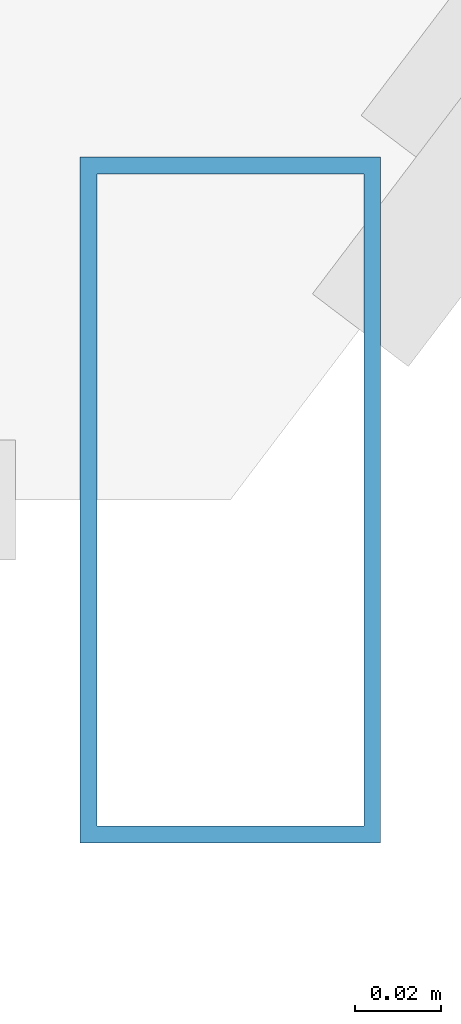
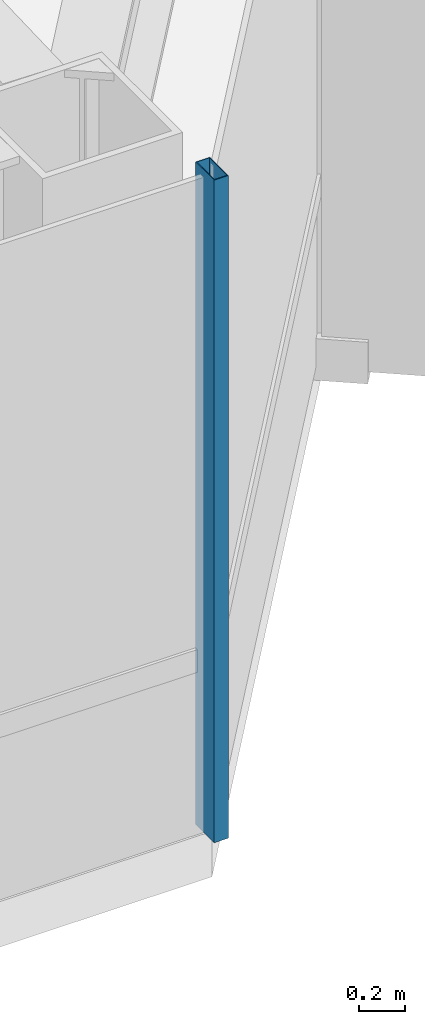
# One storey, part 8 of 27: 1 member, 1 element without a shape of its own.
"""IFC4 building model written with IfcOpenShell, lengths in metres."""

from ifc_helpers import new_model, si_unit, direction, frame, origin, origin_2d, place, context, subcontext, project, spatial, hollow_rectangle, extrude, material, layer, layer_set, material_profile, profile_set, type_object, element, aggregate, save


model = new_model("IFC4")

# Units and contexts
model_context = context("Model", 3, precision=1e-05, world=origin(), true_north=direction((0.0, 1.0)))
body_context = subcontext(model_context, "Body", "Model", "MODEL_VIEW")
ifc_project = project(units=[si_unit("LENGTHUNIT", "METRE"), si_unit("AREAUNIT", "SQUARE_METRE"), si_unit("VOLUMEUNIT", "CUBIC_METRE"), si_unit("PLANEANGLEUNIT", "RADIAN"), si_unit("MASSUNIT", "GRAM", prefix="KILO")], contexts=[model_context])

# Site, building, storey
site_placement = place(None, origin())
site = spatial("IfcSite", under=ifc_project, at=site_placement, CompositionType="ELEMENT")
building_placement = place(site_placement, origin())
building = spatial("IfcBuilding", under=site, at=building_placement, Name="Zarrinselat Tower", CompositionType="ELEMENT")
storey_placement = place(building_placement, frame((0.0, 0.0, 175.780029296875)))
storey = spatial("IfcBuildingStorey", under=building, at=storey_placement, Name="L43", CompositionType="ELEMENT", Elevation=175.780029296875)

# Curtain wall, member
ifc_material_1 = material(Name="Extruded Aluminium Alloy EN AW-6063 T6", Category="aluminium")
ifc_layer = layer(ifc_material_1, 0.175048828125)
ifc_layer_set = layer_set([ifc_layer], Name="Extruded Aluminium Alloy EN AW-6063 T6")
curtain_wall_type = type_object("IfcCurtainWallType", Name="CWS-HTL", PredefinedType="NOTDEFINED", material=ifc_layer_set)
curtain_wall_placement = place(storey_placement, origin())
curtain_wall = element("IfcCurtainWall", 1, at=curtain_wall_placement, inside=storey, type_object=curtain_wall_type, Name="L43 Unitised Curtain Wall CW-L43-E04", PredefinedType="NOTDEFINED")
ifc_material_2 = material(Name="Extruded Aluminium Alloy EN AW-6063 T6", Category="aluminium")
ifc_material_profile = material_profile(ifc_material_2, hollow_rectangle(XDim=0.070068359375, YDim=0.159912109375, WallThickness=0.00390625, at=origin_2d()), Name="RHS 160x70x4")
ifc_profile_set = profile_set([ifc_material_profile], Name="Extruded Aluminium Alloy EN AW-6063 T6")
member_type = type_object("IfcMemberType", Name="MEM-CW-MUL2", PredefinedType="MULLION", material=ifc_profile_set)
member_placement = place(storey_placement, frame((45.75830078125, 17.555419921875, 0.0), z_axis=(0.0, 0.0, 1.0), x_axis=(1.0, 0.0, 0.0)))
member = element("IfcMember", 2, at=member_placement, type_object=member_type, Name="CW-L43-E04 Mullion 4", PredefinedType="MULLION", context=body_context, shape_type="SweptSolid", body=[
    extrude(hollow_rectangle(XDim=0.070068359375, YDim=0.159912109375, WallThickness=0.00390625, at=origin_2d()), origin(), (0.0, 0.0, 1.0), 3.5),
])
aggregate(curtain_wall, [member])

save(model, "model.ifc")
